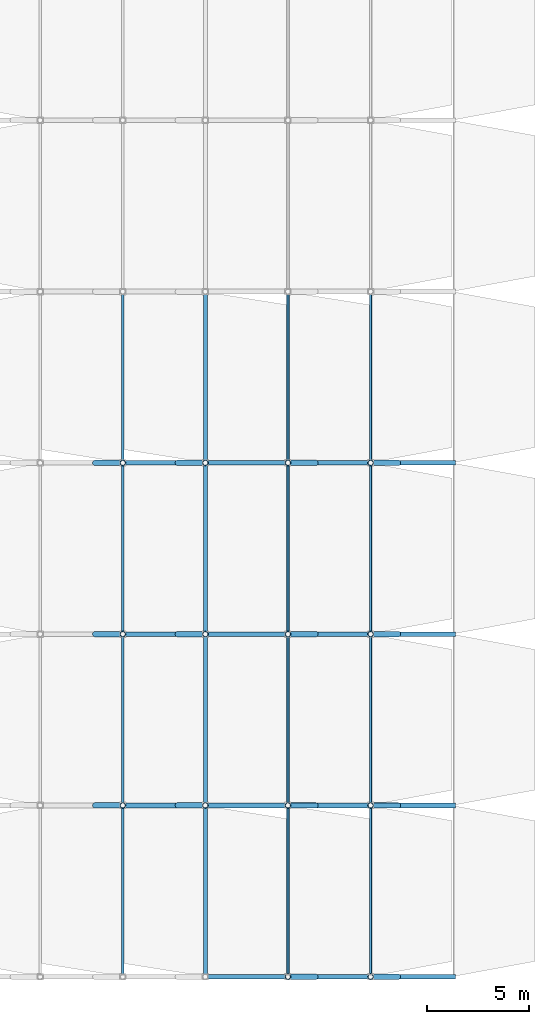
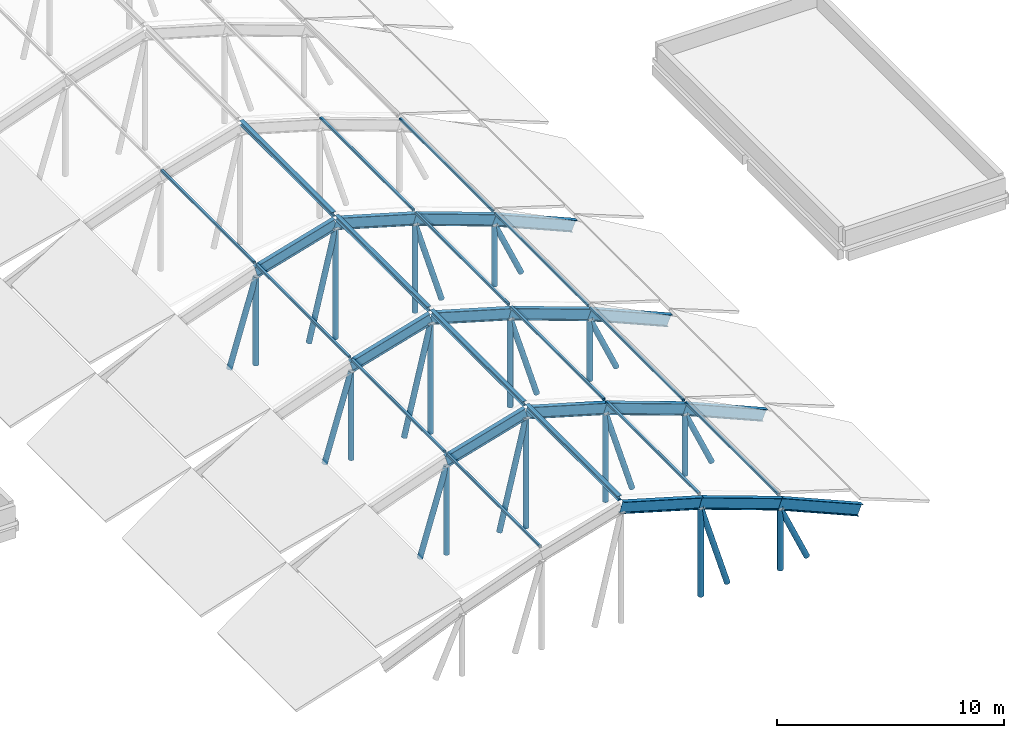
# One storey, part 4 of 22: 44 members, 15 beams.
"""IFC4 building model written with IfcOpenShell, lengths in metres."""

from ifc_helpers import new_model, si_unit, direction, frame, origin, origin_2d, place, context, subcontext, project, spatial, hollow_rectangle, hollow_circle, i_section, extrude, material, material_profile, profile_set, type_object, element, save


model = new_model("IFC4")

# Units and contexts
model_context = context("Model", 3, precision=1e-05, world=origin(), true_north=direction((0.0, 1.0)))
body_context = subcontext(model_context, "Body", "Model", "MODEL_VIEW")
ifc_project = project(units=[si_unit("LENGTHUNIT", "METRE"), si_unit("AREAUNIT", "SQUARE_METRE"), si_unit("VOLUMEUNIT", "CUBIC_METRE"), si_unit("PLANEANGLEUNIT", "RADIAN"), si_unit("MASSUNIT", "GRAM", prefix="KILO")], contexts=[model_context])

# Site, building, storey
site_placement = place(None, origin())
site = spatial("IfcSite", under=ifc_project, at=site_placement, CompositionType="ELEMENT")
building_placement = place(site_placement, origin())
building = spatial("IfcBuilding", under=site, at=building_placement, Name="Vireocrest Preparatory School", CompositionType="ELEMENT")
storey_placement = place(building_placement, frame((0.0, 0.0, 25.800048828125)))
storey = spatial("IfcBuildingStorey", under=building, at=storey_placement, Name="RF", CompositionType="ELEMENT", Elevation=25.800048828125)

# Members
ifc_material_1 = material(Name="Painted white steel ASTM A500 Grade C", Category="steel")
ifc_material_profile_1 = material_profile(ifc_material_1, hollow_rectangle(XDim=0.126953125, YDim=0.126953125, WallThickness=0.0087890625, InnerFilletRadius=0.0087890625, OuterFilletRadius=0.017822265625, at=origin_2d()), Name="HSS5X5X3/8")
ifc_profile_set_1 = profile_set([ifc_material_profile_1], Name="Painted white steel ASTM A500 Grade C")
member_type_1 = type_object("IfcMemberType", Name="Canopy Glass Steel Purlin HSS5X5X3/8", PredefinedType="PURLIN", material=ifc_profile_set_1)
for number, where, z_axis, x_axis, name in (
    (1, (75.75, 27.110107421875, 2.7919921875), (0.0, 1.0, 0.0), (-1.0, 0.0, 0.0), "Canopy Glass Purlin PR2-1-4"),
    (2, (83.85009765625, 27.110107421875, 2.7919921875), (0.0, 1.0, 0.0), (-1.0, 0.0, 0.0), "Canopy Glass Purlin PR2-1-6"),
    (3, (87.89990234375, 27.110107421875, 1.33203125), (0.0, 1.0, 0.0), (-1.0, 0.0, 0.0), "Canopy Glass Purlin PR2-1-7"),
    (4, (75.75, 35.510009765625, 2.7919921875), (0.0, 1.0, 0.0), (-1.0, 0.0, 0.0), "Canopy Glass Purlin PR2-2-4"),
    (5, (83.85009765625, 35.510009765625, 2.7919921875), (0.0, 1.0, 0.0), (-1.0, 0.0, 0.0), "Canopy Glass Purlin PR2-2-6"),
    (6, (87.89990234375, 35.510009765625, 1.33203125), (0.0, 1.0, 0.0), (-1.0, 0.0, 0.0), "Canopy Glass Purlin PR2-2-7"),
):
    element("IfcMember", number, at=place(storey_placement, frame(where, z_axis=z_axis, x_axis=x_axis)), inside=storey, type_object=member_type_1, Name=name, PredefinedType="PURLIN", context=body_context, shape_type="SweptSolid", body=[
        extrude(hollow_rectangle(XDim=0.126953125, YDim=0.126953125, WallThickness=0.0087890625, InnerFilletRadius=0.0087890625, OuterFilletRadius=0.017822265625, at=origin_2d()), origin(), (0.0, 0.0, 1.0), 8.179931640625),
    ])
for number, where, z_axis, x_axis, name in (
    (7, (75.75, 43.909912109375, 2.7919921875), (0.0, 1.0, 0.0), (-1.0, 0.0, 0.0), "Canopy Glass Purlin PR2-3-4"),
    (8, (83.85009765625, 43.909912109375, 2.7919921875), (0.0, 1.0, 0.0), (-1.0, 0.0, 0.0), "Canopy Glass Purlin PR2-3-6"),
    (9, (87.89990234375, 43.909912109375, 1.33203125), (0.0, 1.0, 0.0), (-1.0, 0.0, 0.0), "Canopy Glass Purlin PR2-3-7"),
):
    element("IfcMember", number, at=place(storey_placement, frame(where, z_axis=z_axis, x_axis=x_axis)), inside=storey, type_object=member_type_1, Name=name, PredefinedType="PURLIN", context=body_context, shape_type="SweptSolid", body=[
        extrude(hollow_rectangle(XDim=0.126953125, YDim=0.126953125, WallThickness=0.0087890625, InnerFilletRadius=0.0087890625, OuterFilletRadius=0.017822265625, at=origin_2d()), origin(), (0.0, 0.0, 1.0), 8.18017578125),
    ])
for number, where, z_axis, x_axis, name in (
    (10, (75.75, 52.31005859375, 2.7919921875), (0.0, 1.0, 0.0), (-1.0, 0.0, 0.0), "Canopy Glass Purlin PR2-4-4"),
    (11, (83.85009765625, 52.31005859375, 2.7919921875), (0.0, 1.0, 0.0), (-1.0, 0.0, 0.0), "Canopy Glass Purlin PR2-4-6"),
    (12, (87.89990234375, 52.31005859375, 1.33203125), (0.0, 1.0, 0.0), (-1.0, 0.0, 0.0), "Canopy Glass Purlin PR2-4-7"),
):
    element("IfcMember", number, at=place(storey_placement, frame(where, z_axis=z_axis, x_axis=x_axis)), inside=storey, type_object=member_type_1, Name=name, PredefinedType="PURLIN", context=body_context, shape_type="SweptSolid", body=[
        extrude(hollow_rectangle(XDim=0.126953125, YDim=0.126953125, WallThickness=0.0087890625, InnerFilletRadius=0.0087890625, OuterFilletRadius=0.017822265625, at=origin_2d()), origin(), (0.0, 0.0, 1.0), 8.179931640625),
    ])
ifc_material_2 = material(Name="Structural steel ASTM A992 Grade 50", Category="steel")
ifc_material_profile_2 = material_profile(ifc_material_2, i_section(OverallWidth=0.201904296875, OverallDepth=0.2470703125, WebThickness=0.00732421875, FlangeThickness=0.010986328125, FilletRadius=0.010986328125, at=origin_2d()), Name="W10X33")
ifc_profile_set_2 = profile_set([ifc_material_profile_2], Name="Structural steel ASTM A992 Grade 50")
member_type_2 = type_object("IfcMemberType", Name="Canopy Ridge Purlin W10X33", PredefinedType="PURLIN", material=ifc_profile_set_2)
for number, where, z_axis, x_axis, name in (
    (13, (79.800048828125, 27.110107421875, 3.971923828125), (0.0, 1.0, 0.0), (-1.0, 0.0, 0.0), "Canopy Glass Purlin PR3-1-5"),
    (14, (79.800048828125, 35.510009765625, 3.971923828125), (0.0, 1.0, 0.0), (-1.0, 0.0, 0.0), "Canopy Glass Purlin PR3-2-5"),
):
    element("IfcMember", number, at=place(storey_placement, frame(where, z_axis=z_axis, x_axis=x_axis)), inside=storey, type_object=member_type_2, Name=name, PredefinedType="PURLIN", context=body_context, shape_type="SweptSolid", body=[
        extrude(i_section(OverallWidth=0.201904296875, OverallDepth=0.2470703125, WebThickness=0.00732421875, FlangeThickness=0.010986328125, FilletRadius=0.010986328125, at=origin_2d()), origin(), (0.0, 0.0, 1.0), 8.179931640625),
    ])
member_1_placement = place(storey_placement, frame((79.800048828125, 43.909912109375, 3.971923828125), z_axis=(0.0, 1.0, 0.0), x_axis=(-1.0, 0.0, 0.0)))
element("IfcMember", 15, at=member_1_placement, inside=storey, type_object=member_type_2, Name="Canopy Glass Purlin PR3-3-5", PredefinedType="PURLIN", context=body_context, shape_type="SweptSolid", body=[
    extrude(i_section(OverallWidth=0.201904296875, OverallDepth=0.2470703125, WebThickness=0.00732421875, FlangeThickness=0.010986328125, FilletRadius=0.010986328125, at=origin_2d()), origin(), (0.0, 0.0, 1.0), 8.18017578125),
])
member_2_placement = place(storey_placement, frame((79.800048828125, 52.31005859375, 3.971923828125), z_axis=(0.0, 1.0, 0.0), x_axis=(-1.0, 0.0, 0.0)))
element("IfcMember", 16, at=member_2_placement, inside=storey, type_object=member_type_2, Name="Canopy Glass Purlin PR3-4-5", PredefinedType="PURLIN", context=body_context, shape_type="SweptSolid", body=[
    extrude(i_section(OverallWidth=0.201904296875, OverallDepth=0.2470703125, WebThickness=0.00732421875, FlangeThickness=0.010986328125, FilletRadius=0.010986328125, at=origin_2d()), origin(), (0.0, 0.0, 1.0), 8.179931640625),
])

# Beams
ifc_material_profile_3 = material_profile(ifc_material_2, i_section(OverallWidth=0.22802734375, OverallDepth=0.60302734375, WebThickness=0.010498046875, FlangeThickness=0.014892578125, FilletRadius=0.01611328125, at=origin_2d()), Name="W24X68")
ifc_profile_set_3 = profile_set([ifc_material_profile_3], Name="Structural steel ASTM A992 Grade 50")
beam_type = type_object("IfcBeamType", Name="Dining Pavilion Roof Girder W24X68", PredefinedType="BEAM", material=ifc_profile_set_3)
beam_1_placement = place(storey_placement, frame((79.800048828125, 27.0, 3.574462890625), z_axis=(0.960069326573, 0.0, -0.279762199328), x_axis=(0.0, 1.0, 0.0)))
element("IfcBeam", 17, at=beam_1_placement, inside=storey, type_object=beam_type, Name="Canopy Rafter Chord SB4-1-5", PredefinedType="BEAM", context=body_context, shape_type="SweptSolid", body=[
    extrude(i_section(OverallWidth=0.22802734375, OverallDepth=0.60302734375, WebThickness=0.010498046875, FlangeThickness=0.014892578125, FilletRadius=0.01611328125, at=origin_2d()), origin(), (0.0, 0.0, 1.0), 4.218505859375),
])
beam_2_placement = place(storey_placement, frame((83.85009765625, 27.0, 2.394287109375), z_axis=(0.94073694426, 0.0, -0.339137142915), x_axis=(0.0, 1.0, 0.0)))
element("IfcBeam", 18, at=beam_2_placement, inside=storey, type_object=beam_type, Name="Canopy Rafter Chord SB4-1-6", PredefinedType="BEAM", context=body_context, shape_type="SweptSolid", body=[
    extrude(i_section(OverallWidth=0.22802734375, OverallDepth=0.60302734375, WebThickness=0.010498046875, FlangeThickness=0.014892578125, FilletRadius=0.01611328125, at=origin_2d()), origin(), (0.0, 0.0, 1.0), 4.304931640625),
])
beam_3_placement = place(storey_placement, frame((87.89990234375, 27.0, 0.934326171875), z_axis=(0.918795164694, 0.0, -0.394734651804), x_axis=(0.0, 1.0, 0.0)))
element("IfcBeam", 19, at=beam_3_placement, inside=storey, type_object=beam_type, Name="Canopy Rafter Chord SB4-1-7", PredefinedType="BEAM", context=body_context, shape_type="SweptSolid", body=[
    extrude(i_section(OverallWidth=0.22802734375, OverallDepth=0.60302734375, WebThickness=0.010498046875, FlangeThickness=0.014892578125, FilletRadius=0.01611328125, at=origin_2d()), origin(), (0.0, 0.0, 1.0), 4.407958984375),
])
for number, where, z_axis, x_axis, name in (
    (20, (75.75, 35.39990234375, 2.394287109375), (0.960069326573, 0.0, 0.279762199328), (0.0, 1.0, 0.0), "Canopy Rafter Chord SB4-2-4"),
    (21, (79.800048828125, 35.39990234375, 3.574462890625), (0.960069326573, 0.0, -0.279762199328), (0.0, 1.0, 0.0), "Canopy Rafter Chord SB4-2-5"),
):
    element("IfcBeam", number, at=place(storey_placement, frame(where, z_axis=z_axis, x_axis=x_axis)), inside=storey, type_object=beam_type, Name=name, PredefinedType="BEAM", context=body_context, shape_type="SweptSolid", body=[
        extrude(i_section(OverallWidth=0.22802734375, OverallDepth=0.60302734375, WebThickness=0.010498046875, FlangeThickness=0.014892578125, FilletRadius=0.01611328125, at=origin_2d()), origin(), (0.0, 0.0, 1.0), 4.218505859375),
    ])
beam_4_placement = place(storey_placement, frame((83.85009765625, 35.39990234375, 2.394287109375), z_axis=(0.94073694426, 0.0, -0.339137142915), x_axis=(0.0, 1.0, 0.0)))
element("IfcBeam", 22, at=beam_4_placement, inside=storey, type_object=beam_type, Name="Canopy Rafter Chord SB4-2-6", PredefinedType="BEAM", context=body_context, shape_type="SweptSolid", body=[
    extrude(i_section(OverallWidth=0.22802734375, OverallDepth=0.60302734375, WebThickness=0.010498046875, FlangeThickness=0.014892578125, FilletRadius=0.01611328125, at=origin_2d()), origin(), (0.0, 0.0, 1.0), 4.304931640625),
])
beam_5_placement = place(storey_placement, frame((87.89990234375, 35.39990234375, 0.934326171875), z_axis=(0.918795164694, 0.0, -0.394734651804), x_axis=(0.0, 1.0, 0.0)))
element("IfcBeam", 23, at=beam_5_placement, inside=storey, type_object=beam_type, Name="Canopy Rafter Chord SB4-2-7", PredefinedType="BEAM", context=body_context, shape_type="SweptSolid", body=[
    extrude(i_section(OverallWidth=0.22802734375, OverallDepth=0.60302734375, WebThickness=0.010498046875, FlangeThickness=0.014892578125, FilletRadius=0.01611328125, at=origin_2d()), origin(), (0.0, 0.0, 1.0), 4.407958984375),
])
for number, where, z_axis, x_axis, name in (
    (24, (75.75, 43.800048828125, 2.394287109375), (0.960069326573, 0.0, 0.279762199328), (0.0, 1.0, 0.0), "Canopy Rafter Chord SB4-3-4"),
    (25, (79.800048828125, 43.800048828125, 3.574462890625), (0.960069326573, 0.0, -0.279762199328), (0.0, 1.0, 0.0), "Canopy Rafter Chord SB4-3-5"),
):
    element("IfcBeam", number, at=place(storey_placement, frame(where, z_axis=z_axis, x_axis=x_axis)), inside=storey, type_object=beam_type, Name=name, PredefinedType="BEAM", context=body_context, shape_type="SweptSolid", body=[
        extrude(i_section(OverallWidth=0.22802734375, OverallDepth=0.60302734375, WebThickness=0.010498046875, FlangeThickness=0.014892578125, FilletRadius=0.01611328125, at=origin_2d()), origin(), (0.0, 0.0, 1.0), 4.218505859375),
    ])
beam_6_placement = place(storey_placement, frame((83.85009765625, 43.800048828125, 2.394287109375), z_axis=(0.94073694426, 0.0, -0.339137142915), x_axis=(0.0, 1.0, 0.0)))
element("IfcBeam", 26, at=beam_6_placement, inside=storey, type_object=beam_type, Name="Canopy Rafter Chord SB4-3-6", PredefinedType="BEAM", context=body_context, shape_type="SweptSolid", body=[
    extrude(i_section(OverallWidth=0.22802734375, OverallDepth=0.60302734375, WebThickness=0.010498046875, FlangeThickness=0.014892578125, FilletRadius=0.01611328125, at=origin_2d()), origin(), (0.0, 0.0, 1.0), 4.304931640625),
])
beam_7_placement = place(storey_placement, frame((87.89990234375, 43.800048828125, 0.934326171875), z_axis=(0.918795164694, 0.0, -0.394734651804), x_axis=(0.0, 1.0, 0.0)))
element("IfcBeam", 27, at=beam_7_placement, inside=storey, type_object=beam_type, Name="Canopy Rafter Chord SB4-3-7", PredefinedType="BEAM", context=body_context, shape_type="SweptSolid", body=[
    extrude(i_section(OverallWidth=0.22802734375, OverallDepth=0.60302734375, WebThickness=0.010498046875, FlangeThickness=0.014892578125, FilletRadius=0.01611328125, at=origin_2d()), origin(), (0.0, 0.0, 1.0), 4.407958984375),
])
for number, where, z_axis, x_axis, name in (
    (28, (75.75, 52.199951171875, 2.394287109375), (0.960069326573, 0.0, 0.279762199328), (0.0, 1.0, 0.0), "Canopy Rafter Chord SB4-4-4"),
    (29, (79.800048828125, 52.199951171875, 3.574462890625), (0.960069326573, 0.0, -0.279762199328), (0.0, 1.0, 0.0), "Canopy Rafter Chord SB4-4-5"),
):
    element("IfcBeam", number, at=place(storey_placement, frame(where, z_axis=z_axis, x_axis=x_axis)), inside=storey, type_object=beam_type, Name=name, PredefinedType="BEAM", context=body_context, shape_type="SweptSolid", body=[
        extrude(i_section(OverallWidth=0.22802734375, OverallDepth=0.60302734375, WebThickness=0.010498046875, FlangeThickness=0.014892578125, FilletRadius=0.01611328125, at=origin_2d()), origin(), (0.0, 0.0, 1.0), 4.218505859375),
    ])
beam_8_placement = place(storey_placement, frame((83.85009765625, 52.199951171875, 2.394287109375), z_axis=(0.94073694426, 0.0, -0.339137142915), x_axis=(0.0, 1.0, 0.0)))
element("IfcBeam", 30, at=beam_8_placement, inside=storey, type_object=beam_type, Name="Canopy Rafter Chord SB4-4-6", PredefinedType="BEAM", context=body_context, shape_type="SweptSolid", body=[
    extrude(i_section(OverallWidth=0.22802734375, OverallDepth=0.60302734375, WebThickness=0.010498046875, FlangeThickness=0.014892578125, FilletRadius=0.01611328125, at=origin_2d()), origin(), (0.0, 0.0, 1.0), 4.304931640625),
])
beam_9_placement = place(storey_placement, frame((87.89990234375, 52.199951171875, 0.934326171875), z_axis=(0.918795164694, 0.0, -0.394734651804), x_axis=(0.0, 1.0, 0.0)))
element("IfcBeam", 31, at=beam_9_placement, inside=storey, type_object=beam_type, Name="Canopy Rafter Chord SB4-4-7", PredefinedType="BEAM", context=body_context, shape_type="SweptSolid", body=[
    extrude(i_section(OverallWidth=0.22802734375, OverallDepth=0.60302734375, WebThickness=0.010498046875, FlangeThickness=0.014892578125, FilletRadius=0.01611328125, at=origin_2d()), origin(), (0.0, 0.0, 1.0), 4.407958984375),
])

# Members
ifc_material_profile_4 = material_profile(ifc_material_1, hollow_circle(Radius=0.136474609375, WallThickness=0.0126953125, at=origin_2d()), Name="HSS10.750X0.500")
ifc_profile_set_4 = profile_set([ifc_material_profile_4], Name="Painted white steel ASTM A500 Grade C")
member_type_3 = type_object("IfcMemberType", Name="White Steel Clerestory Strut HSS10.750X0.500", PredefinedType="USERDEFINED", material=ifc_profile_set_4)
member_3_placement = place(storey_placement, frame((83.85009765625, 27.0, -2.62255859375), z_axis=(0.0, 0.0, 1.0), x_axis=(1.0, 0.0, 0.0)))
element("IfcMember", 32, at=member_3_placement, inside=storey, type_object=member_type_3, Name="Canopy Truss Web Vertical VS3-1-6", ObjectType="STRUT", PredefinedType="USERDEFINED", context=body_context, shape_type="SweptSolid", body=[
    extrude(hollow_circle(Radius=0.136474609375, WallThickness=0.0126953125, at=origin_2d()), origin(), (0.0, 0.0, 1.0), 4.740478515625),
])
member_4_placement = place(storey_placement, frame((87.89990234375, 27.0, -2.62255859375), z_axis=(0.0, 0.0, 1.0), x_axis=(1.0, 0.0, 0.0)))
element("IfcMember", 33, at=member_4_placement, inside=storey, type_object=member_type_3, Name="Canopy Truss Web Vertical VS3-1-7", ObjectType="STRUT", PredefinedType="USERDEFINED", context=body_context, shape_type="SweptSolid", body=[
    extrude(hollow_circle(Radius=0.136474609375, WallThickness=0.0126953125, at=origin_2d()), origin(), (0.0, 0.0, 1.0), 3.280517578125),
])
member_5_placement = place(storey_placement, frame((85.199951171875, 27.0, -2.385009765625), z_axis=(-0.287147763375, 0.0, 0.957886299092), x_axis=(0.0, -1.0, 0.0)))
element("IfcMember", 34, at=member_5_placement, inside=storey, type_object=member_type_3, Name="Canopy Truss Web Strut VS3-1-5", ObjectType="STRUT", PredefinedType="USERDEFINED", context=body_context, shape_type="SweptSolid", body=[
    extrude(hollow_circle(Radius=0.136474609375, WallThickness=0.0126953125, at=origin_2d()), origin(), (0.0, 0.0, 1.0), 4.700927734375),
])
member_6_placement = place(storey_placement, frame((89.25, 27.0, -2.385009765625), z_axis=(-0.405553199474, 0.0, 0.91407144272), x_axis=(0.0, -1.0, 0.0)))
element("IfcMember", 35, at=member_6_placement, inside=storey, type_object=member_type_3, Name="Canopy Truss Web Strut VS3-1-6", ObjectType="STRUT", PredefinedType="USERDEFINED", context=body_context, shape_type="SweptSolid", body=[
    extrude(hollow_circle(Radius=0.136474609375, WallThickness=0.0126953125, at=origin_2d()), origin(), (0.0, 0.0, 1.0), 3.3291015625),
])
member_7_placement = place(storey_placement, frame((75.75, 35.39990234375, -2.62255859375), z_axis=(0.0, 0.0, 1.0), x_axis=(1.0, 0.0, 0.0)))
element("IfcMember", 36, at=member_7_placement, inside=storey, type_object=member_type_3, Name="Canopy Truss Web Vertical VS3-2-4", ObjectType="STRUT", PredefinedType="USERDEFINED", context=body_context, shape_type="SweptSolid", body=[
    extrude(hollow_circle(Radius=0.136474609375, WallThickness=0.0126953125, at=origin_2d()), origin(), (0.0, 0.0, 1.0), 4.740478515625),
])
member_8_placement = place(storey_placement, frame((79.800048828125, 35.39990234375, -2.62255859375), z_axis=(0.0, 0.0, 1.0), x_axis=(1.0, 0.0, 0.0)))
element("IfcMember", 37, at=member_8_placement, inside=storey, type_object=member_type_3, Name="Canopy Truss Web Vertical VS3-2-5", ObjectType="STRUT", PredefinedType="USERDEFINED", context=body_context, shape_type="SweptSolid", body=[
    extrude(hollow_circle(Radius=0.136474609375, WallThickness=0.0126953125, at=origin_2d()), origin(), (0.0, 0.0, 1.0), 5.92041015625),
])
member_9_placement = place(storey_placement, frame((83.85009765625, 35.39990234375, -2.62255859375), z_axis=(0.0, 0.0, 1.0), x_axis=(1.0, 0.0, 0.0)))
element("IfcMember", 38, at=member_9_placement, inside=storey, type_object=member_type_3, Name="Canopy Truss Web Vertical VS3-2-6", ObjectType="STRUT", PredefinedType="USERDEFINED", context=body_context, shape_type="SweptSolid", body=[
    extrude(hollow_circle(Radius=0.136474609375, WallThickness=0.0126953125, at=origin_2d()), origin(), (0.0, 0.0, 1.0), 4.740478515625),
])
member_10_placement = place(storey_placement, frame((87.89990234375, 35.39990234375, -2.62255859375), z_axis=(0.0, 0.0, 1.0), x_axis=(1.0, 0.0, 0.0)))
element("IfcMember", 39, at=member_10_placement, inside=storey, type_object=member_type_3, Name="Canopy Truss Web Vertical VS3-2-7", ObjectType="STRUT", PredefinedType="USERDEFINED", context=body_context, shape_type="SweptSolid", body=[
    extrude(hollow_circle(Radius=0.136474609375, WallThickness=0.0126953125, at=origin_2d()), origin(), (0.0, 0.0, 1.0), 3.280517578125),
])
member_11_placement = place(storey_placement, frame((74.39990234375, 35.39990234375, -2.385009765625), z_axis=(0.287195414927, 0.0, 0.957872013186), x_axis=(0.0, 1.0, 0.0)))
element("IfcMember", 40, at=member_11_placement, inside=storey, type_object=member_type_3, Name="Canopy Truss Web Strut VS3-2-3", ObjectType="STRUT", PredefinedType="USERDEFINED", context=body_context, shape_type="SweptSolid", body=[
    extrude(hollow_circle(Radius=0.136474609375, WallThickness=0.0126953125, at=origin_2d()), origin(), (0.0, 0.0, 1.0), 4.700927734375),
])
member_12_placement = place(storey_placement, frame((78.449951171875, 35.39990234375, -2.385009765625), z_axis=(0.231140186577, 0.0, 0.972920456229), x_axis=(0.0, 1.0, 0.0)))
element("IfcMember", 41, at=member_12_placement, inside=storey, type_object=member_type_3, Name="Canopy Truss Web Strut VS3-2-4", ObjectType="STRUT", PredefinedType="USERDEFINED", context=body_context, shape_type="SweptSolid", body=[
    extrude(hollow_circle(Radius=0.136474609375, WallThickness=0.0126953125, at=origin_2d()), origin(), (0.0, 0.0, 1.0), 5.841064453125),
])
member_13_placement = place(storey_placement, frame((85.199951171875, 35.39990234375, -2.385009765625), z_axis=(-0.287147763375, 0.0, 0.957886299092), x_axis=(0.0, -1.0, 0.0)))
element("IfcMember", 42, at=member_13_placement, inside=storey, type_object=member_type_3, Name="Canopy Truss Web Strut VS3-2-5", ObjectType="STRUT", PredefinedType="USERDEFINED", context=body_context, shape_type="SweptSolid", body=[
    extrude(hollow_circle(Radius=0.136474609375, WallThickness=0.0126953125, at=origin_2d()), origin(), (0.0, 0.0, 1.0), 4.700927734375),
])
member_14_placement = place(storey_placement, frame((89.25, 35.39990234375, -2.385009765625), z_axis=(-0.405553199474, 0.0, 0.91407144272), x_axis=(0.0, -1.0, 0.0)))
element("IfcMember", 43, at=member_14_placement, inside=storey, type_object=member_type_3, Name="Canopy Truss Web Strut VS3-2-6", ObjectType="STRUT", PredefinedType="USERDEFINED", context=body_context, shape_type="SweptSolid", body=[
    extrude(hollow_circle(Radius=0.136474609375, WallThickness=0.0126953125, at=origin_2d()), origin(), (0.0, 0.0, 1.0), 3.3291015625),
])
member_15_placement = place(storey_placement, frame((75.75, 43.800048828125, -2.62255859375), z_axis=(0.0, 0.0, 1.0), x_axis=(1.0, 0.0, 0.0)))
element("IfcMember", 44, at=member_15_placement, inside=storey, type_object=member_type_3, Name="Canopy Truss Web Vertical VS3-3-4", ObjectType="STRUT", PredefinedType="USERDEFINED", context=body_context, shape_type="SweptSolid", body=[
    extrude(hollow_circle(Radius=0.136474609375, WallThickness=0.0126953125, at=origin_2d()), origin(), (0.0, 0.0, 1.0), 4.740478515625),
])
member_16_placement = place(storey_placement, frame((79.800048828125, 43.800048828125, -2.62255859375), z_axis=(0.0, 0.0, 1.0), x_axis=(1.0, 0.0, 0.0)))
element("IfcMember", 45, at=member_16_placement, inside=storey, type_object=member_type_3, Name="Canopy Truss Web Vertical VS3-3-5", ObjectType="STRUT", PredefinedType="USERDEFINED", context=body_context, shape_type="SweptSolid", body=[
    extrude(hollow_circle(Radius=0.136474609375, WallThickness=0.0126953125, at=origin_2d()), origin(), (0.0, 0.0, 1.0), 5.92041015625),
])
member_17_placement = place(storey_placement, frame((83.85009765625, 43.800048828125, -2.62255859375), z_axis=(0.0, 0.0, 1.0), x_axis=(1.0, 0.0, 0.0)))
element("IfcMember", 46, at=member_17_placement, inside=storey, type_object=member_type_3, Name="Canopy Truss Web Vertical VS3-3-6", ObjectType="STRUT", PredefinedType="USERDEFINED", context=body_context, shape_type="SweptSolid", body=[
    extrude(hollow_circle(Radius=0.136474609375, WallThickness=0.0126953125, at=origin_2d()), origin(), (0.0, 0.0, 1.0), 4.740478515625),
])
member_18_placement = place(storey_placement, frame((87.89990234375, 43.800048828125, -2.62255859375), z_axis=(0.0, 0.0, 1.0), x_axis=(1.0, 0.0, 0.0)))
element("IfcMember", 47, at=member_18_placement, inside=storey, type_object=member_type_3, Name="Canopy Truss Web Vertical VS3-3-7", ObjectType="STRUT", PredefinedType="USERDEFINED", context=body_context, shape_type="SweptSolid", body=[
    extrude(hollow_circle(Radius=0.136474609375, WallThickness=0.0126953125, at=origin_2d()), origin(), (0.0, 0.0, 1.0), 3.280517578125),
])
member_19_placement = place(storey_placement, frame((74.39990234375, 43.800048828125, -2.385009765625), z_axis=(0.287195414927, 0.0, 0.957872013186), x_axis=(0.0, 1.0, 0.0)))
element("IfcMember", 48, at=member_19_placement, inside=storey, type_object=member_type_3, Name="Canopy Truss Web Strut VS3-3-3", ObjectType="STRUT", PredefinedType="USERDEFINED", context=body_context, shape_type="SweptSolid", body=[
    extrude(hollow_circle(Radius=0.136474609375, WallThickness=0.0126953125, at=origin_2d()), origin(), (0.0, 0.0, 1.0), 4.700927734375),
])
member_20_placement = place(storey_placement, frame((78.449951171875, 43.800048828125, -2.385009765625), z_axis=(0.231140186577, 0.0, 0.972920456229), x_axis=(0.0, 1.0, 0.0)))
element("IfcMember", 49, at=member_20_placement, inside=storey, type_object=member_type_3, Name="Canopy Truss Web Strut VS3-3-4", ObjectType="STRUT", PredefinedType="USERDEFINED", context=body_context, shape_type="SweptSolid", body=[
    extrude(hollow_circle(Radius=0.136474609375, WallThickness=0.0126953125, at=origin_2d()), origin(), (0.0, 0.0, 1.0), 5.841064453125),
])
member_21_placement = place(storey_placement, frame((85.199951171875, 43.800048828125, -2.385009765625), z_axis=(-0.287147763375, 0.0, 0.957886299092), x_axis=(0.0, -1.0, 0.0)))
element("IfcMember", 50, at=member_21_placement, inside=storey, type_object=member_type_3, Name="Canopy Truss Web Strut VS3-3-5", ObjectType="STRUT", PredefinedType="USERDEFINED", context=body_context, shape_type="SweptSolid", body=[
    extrude(hollow_circle(Radius=0.136474609375, WallThickness=0.0126953125, at=origin_2d()), origin(), (0.0, 0.0, 1.0), 4.700927734375),
])
member_22_placement = place(storey_placement, frame((89.25, 43.800048828125, -2.385009765625), z_axis=(-0.405553199474, 0.0, 0.91407144272), x_axis=(0.0, -1.0, 0.0)))
element("IfcMember", 51, at=member_22_placement, inside=storey, type_object=member_type_3, Name="Canopy Truss Web Strut VS3-3-6", ObjectType="STRUT", PredefinedType="USERDEFINED", context=body_context, shape_type="SweptSolid", body=[
    extrude(hollow_circle(Radius=0.136474609375, WallThickness=0.0126953125, at=origin_2d()), origin(), (0.0, 0.0, 1.0), 3.3291015625),
])
member_23_placement = place(storey_placement, frame((75.75, 52.199951171875, -2.62255859375), z_axis=(0.0, 0.0, 1.0), x_axis=(1.0, 0.0, 0.0)))
element("IfcMember", 52, at=member_23_placement, inside=storey, type_object=member_type_3, Name="Canopy Truss Web Vertical VS3-4-4", ObjectType="STRUT", PredefinedType="USERDEFINED", context=body_context, shape_type="SweptSolid", body=[
    extrude(hollow_circle(Radius=0.136474609375, WallThickness=0.0126953125, at=origin_2d()), origin(), (0.0, 0.0, 1.0), 4.740478515625),
])
member_24_placement = place(storey_placement, frame((79.800048828125, 52.199951171875, -2.62255859375), z_axis=(0.0, 0.0, 1.0), x_axis=(1.0, 0.0, 0.0)))
element("IfcMember", 53, at=member_24_placement, inside=storey, type_object=member_type_3, Name="Canopy Truss Web Vertical VS3-4-5", ObjectType="STRUT", PredefinedType="USERDEFINED", context=body_context, shape_type="SweptSolid", body=[
    extrude(hollow_circle(Radius=0.136474609375, WallThickness=0.0126953125, at=origin_2d()), origin(), (0.0, 0.0, 1.0), 5.92041015625),
])
member_25_placement = place(storey_placement, frame((83.85009765625, 52.199951171875, -2.62255859375), z_axis=(0.0, 0.0, 1.0), x_axis=(1.0, 0.0, 0.0)))
element("IfcMember", 54, at=member_25_placement, inside=storey, type_object=member_type_3, Name="Canopy Truss Web Vertical VS3-4-6", ObjectType="STRUT", PredefinedType="USERDEFINED", context=body_context, shape_type="SweptSolid", body=[
    extrude(hollow_circle(Radius=0.136474609375, WallThickness=0.0126953125, at=origin_2d()), origin(), (0.0, 0.0, 1.0), 4.740478515625),
])
member_26_placement = place(storey_placement, frame((87.89990234375, 52.199951171875, -2.62255859375), z_axis=(0.0, 0.0, 1.0), x_axis=(1.0, 0.0, 0.0)))
element("IfcMember", 55, at=member_26_placement, inside=storey, type_object=member_type_3, Name="Canopy Truss Web Vertical VS3-4-7", ObjectType="STRUT", PredefinedType="USERDEFINED", context=body_context, shape_type="SweptSolid", body=[
    extrude(hollow_circle(Radius=0.136474609375, WallThickness=0.0126953125, at=origin_2d()), origin(), (0.0, 0.0, 1.0), 3.280517578125),
])
member_27_placement = place(storey_placement, frame((74.39990234375, 52.199951171875, -2.385009765625), z_axis=(0.287195414927, 0.0, 0.957872013186), x_axis=(0.0, 1.0, 0.0)))
element("IfcMember", 56, at=member_27_placement, inside=storey, type_object=member_type_3, Name="Canopy Truss Web Strut VS3-4-3", ObjectType="STRUT", PredefinedType="USERDEFINED", context=body_context, shape_type="SweptSolid", body=[
    extrude(hollow_circle(Radius=0.136474609375, WallThickness=0.0126953125, at=origin_2d()), origin(), (0.0, 0.0, 1.0), 4.700927734375),
])
member_28_placement = place(storey_placement, frame((78.449951171875, 52.199951171875, -2.385009765625), z_axis=(0.231140186577, 0.0, 0.972920456229), x_axis=(0.0, 1.0, 0.0)))
element("IfcMember", 57, at=member_28_placement, inside=storey, type_object=member_type_3, Name="Canopy Truss Web Strut VS3-4-4", ObjectType="STRUT", PredefinedType="USERDEFINED", context=body_context, shape_type="SweptSolid", body=[
    extrude(hollow_circle(Radius=0.136474609375, WallThickness=0.0126953125, at=origin_2d()), origin(), (0.0, 0.0, 1.0), 5.841064453125),
])
member_29_placement = place(storey_placement, frame((85.199951171875, 52.199951171875, -2.385009765625), z_axis=(-0.287147763375, 0.0, 0.957886299092), x_axis=(0.0, -1.0, 0.0)))
element("IfcMember", 58, at=member_29_placement, inside=storey, type_object=member_type_3, Name="Canopy Truss Web Strut VS3-4-5", ObjectType="STRUT", PredefinedType="USERDEFINED", context=body_context, shape_type="SweptSolid", body=[
    extrude(hollow_circle(Radius=0.136474609375, WallThickness=0.0126953125, at=origin_2d()), origin(), (0.0, 0.0, 1.0), 4.700927734375),
])
member_30_placement = place(storey_placement, frame((89.25, 52.199951171875, -2.385009765625), z_axis=(-0.405553199474, 0.0, 0.91407144272), x_axis=(0.0, -1.0, 0.0)))
element("IfcMember", 59, at=member_30_placement, inside=storey, type_object=member_type_3, Name="Canopy Truss Web Strut VS3-4-6", ObjectType="STRUT", PredefinedType="USERDEFINED", context=body_context, shape_type="SweptSolid", body=[
    extrude(hollow_circle(Radius=0.136474609375, WallThickness=0.0126953125, at=origin_2d()), origin(), (0.0, 0.0, 1.0), 3.3291015625),
])

save(model, "model.ifc")
